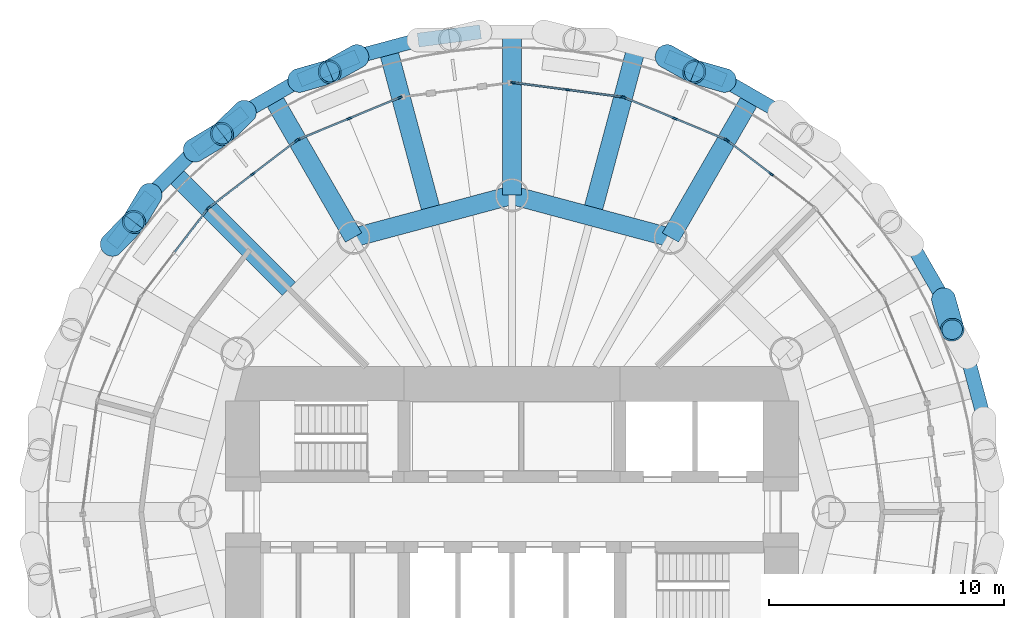
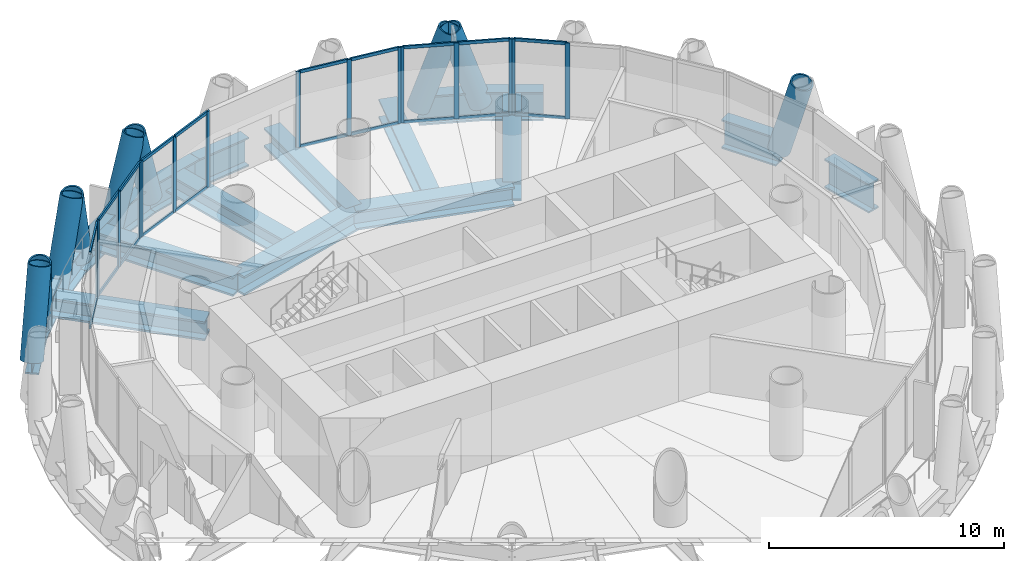
# One storey, part 5 of 13: 44 members, 19 beams, 6 elements without a shape of their own.
"""IFC4 building model written with IfcOpenShell, lengths in metres."""

from ifc_helpers import new_model, si_unit, direction, frame, origin, origin_2d, place, context, subcontext, project, spatial, rectangle, hollow_circle, i_section, extrude, material, material_profile, profile_set, type_object, element, aggregate, save


model = new_model("IFC4")

# Units and contexts
model_context = context("Model", 3, precision=1e-05, world=origin(), true_north=direction((0.0, 1.0)))
body_context = subcontext(model_context, "Body", "Model", "MODEL_VIEW")
ifc_project = project(units=[si_unit("LENGTHUNIT", "METRE"), si_unit("AREAUNIT", "SQUARE_METRE"), si_unit("VOLUMEUNIT", "CUBIC_METRE"), si_unit("PLANEANGLEUNIT", "RADIAN"), si_unit("MASSUNIT", "GRAM", prefix="KILO")], contexts=[model_context])

# Site, building, storey
site_placement = place(None, origin())
site = spatial("IfcSite", under=ifc_project, at=site_placement, CompositionType="ELEMENT")
building_placement = place(site_placement, origin())
building = spatial("IfcBuilding", under=site, at=building_placement, Name="Qaws Media Tower", CompositionType="ELEMENT")
storey_placement = place(building_placement, frame((0.0, 0.0, 282.199951171875)))
storey = spatial("IfcBuildingStorey", under=building, at=storey_placement, Name="L65", CompositionType="ELEMENT", Elevation=282.199951171875)

# Curtain wall, members
ifc_material_1 = material(Name="Aluminium and clear glass", Category="aluminium")
curtain_wall_type = type_object("IfcCurtainWallType", Name="Unitised curtain wall CW-D", PredefinedType="NOTDEFINED", material=ifc_material_1)
curtain_wall_1_placement = place(storey_placement, origin())
curtain_wall_1 = element("IfcCurtainWall", 1, at=curtain_wall_1_placement, inside=storey, type_object=curtain_wall_type, Name="CWD curtain wall L65-04", PredefinedType="NOTDEFINED")
ifc_material_2 = material(Name="Aluminium mullion", Category="aluminium")
ifc_material_profile_1 = material_profile(ifc_material_2, rectangle(XDim=0.080078125, YDim=0.199951171875, at=origin_2d()), Name="80x200")
ifc_profile_set_1 = profile_set([ifc_material_profile_1], Name="Aluminium mullion")
member_type_1 = type_object("IfcMemberType", Name="Curtain wall mullion 80x200", PredefinedType="MULLION", material=ifc_profile_set_1)
member_1_placement = place(storey_placement, frame((71.044921875, 64.39404296875, 0.0), z_axis=(0.0, 0.0, 1.0), x_axis=(-0.608761465882, -0.793353311997, 0.0)))
member_1 = element("IfcMember", 2, at=member_1_placement, type_object=member_type_1, Name="CWD mullion 2", PredefinedType="MULLION", context=body_context, shape_type="SweptSolid", body=[
    extrude(rectangle(XDim=0.080078125, YDim=0.199951171875, at=origin_2d()), origin(), (0.0, 0.0, 1.0), 3.949951171875),
])
member_2_placement = place(storey_placement, frame((69.181640625, 65.823974609375, 0.0), z_axis=(0.0, 0.0, 1.0), x_axis=(-0.608761465882, -0.793353311997, 0.0)))
member_2 = element("IfcMember", 3, at=member_2_placement, type_object=member_type_1, Name="CWD mullion 3", PredefinedType="MULLION", context=body_context, shape_type="SweptSolid", body=[
    extrude(rectangle(XDim=0.080078125, YDim=0.199951171875, at=origin_2d()), origin(), (0.0, 0.0, 1.0), 3.949951171875),
])

curtain_wall_2_placement = place(storey_placement, origin())
curtain_wall_2 = element("IfcCurtainWall", 4, at=curtain_wall_2_placement, inside=storey, type_object=curtain_wall_type, Name="CWD curtain wall L65-05", PredefinedType="NOTDEFINED")
member_3_placement = place(storey_placement, frame((69.113037109375, 65.863525390625, 0.0), z_axis=(0.0, 0.0, 1.0), x_axis=(-0.382683515407, -0.923879498114, 0.0)))
member_3 = element("IfcMember", 5, at=member_3_placement, type_object=member_type_1, Name="CWD mullion 1", PredefinedType="MULLION", context=body_context, shape_type="SweptSolid", body=[
    extrude(rectangle(XDim=0.080078125, YDim=0.199951171875, at=origin_2d()), origin(), (0.0, 0.0, 1.0), 3.949951171875),
])
member_4_placement = place(storey_placement, frame((66.943115234375, 66.762451171875, 0.0), z_axis=(0.0, 0.0, 1.0), x_axis=(-0.382683515407, -0.923879498114, 0.0)))
member_4 = element("IfcMember", 6, at=member_4_placement, type_object=member_type_1, Name="CWD mullion 2", PredefinedType="MULLION", context=body_context, shape_type="SweptSolid", body=[
    extrude(rectangle(XDim=0.080078125, YDim=0.199951171875, at=origin_2d()), origin(), (0.0, 0.0, 1.0), 3.949951171875),
])
member_5_placement = place(storey_placement, frame((64.7734375, 67.6611328125, 0.0), z_axis=(0.0, 0.0, 1.0), x_axis=(-0.382683515407, -0.923879498114, 0.0)))
member_5 = element("IfcMember", 7, at=member_5_placement, type_object=member_type_1, Name="CWD mullion 3", PredefinedType="MULLION", context=body_context, shape_type="SweptSolid", body=[
    extrude(rectangle(XDim=0.080078125, YDim=0.199951171875, at=origin_2d()), origin(), (0.0, 0.0, 1.0), 3.949951171875),
])

curtain_wall_3_placement = place(storey_placement, origin())
curtain_wall_3 = element("IfcCurtainWall", 8, at=curtain_wall_3_placement, inside=storey, type_object=curtain_wall_type, Name="CWD curtain wall L65-06", PredefinedType="NOTDEFINED")
member_6_placement = place(storey_placement, frame((64.69677734375, 67.681640625, 0.0), z_axis=(0.0, 0.0, 1.0), x_axis=(-0.130526101391, -0.991444873332, 0.0)))
member_6 = element("IfcMember", 9, at=member_6_placement, type_object=member_type_1, Name="CWD mullion 1", PredefinedType="MULLION", context=body_context, shape_type="SweptSolid", body=[
    extrude(rectangle(XDim=0.080078125, YDim=0.199951171875, at=origin_2d()), origin(), (0.0, 0.0, 1.0), 3.949951171875),
])
member_7_placement = place(storey_placement, frame((62.3681640625, 67.98828125, 0.0), z_axis=(0.0, 0.0, 1.0), x_axis=(-0.130526101391, -0.991444873332, 0.0)))
member_7 = element("IfcMember", 10, at=member_7_placement, type_object=member_type_1, Name="CWD mullion 2", PredefinedType="MULLION", context=body_context, shape_type="SweptSolid", body=[
    extrude(rectangle(XDim=0.080078125, YDim=0.199951171875, at=origin_2d()), origin(), (0.0, 0.0, 1.0), 3.949951171875),
])
member_8_placement = place(storey_placement, frame((60.03955078125, 68.294677734375, 0.0), z_axis=(0.0, 0.0, 1.0), x_axis=(-0.130526101391, -0.991444873332, 0.0)))
member_8 = element("IfcMember", 11, at=member_8_placement, type_object=member_type_1, Name="CWD mullion 3", PredefinedType="MULLION", context=body_context, shape_type="SweptSolid", body=[
    extrude(rectangle(XDim=0.080078125, YDim=0.199951171875, at=origin_2d()), origin(), (0.0, 0.0, 1.0), 3.949951171875),
])

curtain_wall_4_placement = place(storey_placement, origin())
curtain_wall_4 = element("IfcCurtainWall", 12, at=curtain_wall_4_placement, inside=storey, type_object=curtain_wall_type, Name="CWD curtain wall L65-08", PredefinedType="NOTDEFINED")
member_9_placement = place(storey_placement, frame((55.2265625, 67.6611328125, 0.0), z_axis=(0.0, 0.0, 1.0), x_axis=(0.382683515407, -0.923879498114, 0.0)))
member_9 = element("IfcMember", 13, at=member_9_placement, type_object=member_type_1, Name="CWD mullion 1", PredefinedType="MULLION", context=body_context, shape_type="SweptSolid", body=[
    extrude(rectangle(XDim=0.080078125, YDim=0.199951171875, at=origin_2d()), origin(), (0.0, 0.0, 1.0), 3.949951171875),
])
member_10_placement = place(storey_placement, frame((53.056884765625, 66.762451171875, 0.0), z_axis=(0.0, 0.0, 1.0), x_axis=(0.382683515407, -0.923879498114, 0.0)))
member_10 = element("IfcMember", 14, at=member_10_placement, type_object=member_type_1, Name="CWD mullion 2", PredefinedType="MULLION", context=body_context, shape_type="SweptSolid", body=[
    extrude(rectangle(XDim=0.080078125, YDim=0.199951171875, at=origin_2d()), origin(), (0.0, 0.0, 1.0), 3.949951171875),
])
member_11_placement = place(storey_placement, frame((50.886962890625, 65.863525390625, 0.0), z_axis=(0.0, 0.0, 1.0), x_axis=(0.382683515407, -0.923879498114, 0.0)))
member_11 = element("IfcMember", 15, at=member_11_placement, type_object=member_type_1, Name="CWD mullion 3", PredefinedType="MULLION", context=body_context, shape_type="SweptSolid", body=[
    extrude(rectangle(XDim=0.080078125, YDim=0.199951171875, at=origin_2d()), origin(), (0.0, 0.0, 1.0), 3.949951171875),
])

curtain_wall_5_placement = place(storey_placement, origin())
curtain_wall_5 = element("IfcCurtainWall", 16, at=curtain_wall_5_placement, inside=storey, type_object=curtain_wall_type, Name="CWD curtain wall L65-09", PredefinedType="NOTDEFINED")
member_12_placement = place(storey_placement, frame((50.818359375, 65.823974609375, 0.0), z_axis=(0.0, 0.0, 1.0), x_axis=(0.608761465882, -0.793353311997, 0.0)))
member_12 = element("IfcMember", 17, at=member_12_placement, type_object=member_type_1, Name="CWD mullion 1", PredefinedType="MULLION", context=body_context, shape_type="SweptSolid", body=[
    extrude(rectangle(XDim=0.080078125, YDim=0.199951171875, at=origin_2d()), origin(), (0.0, 0.0, 1.0), 3.949951171875),
])
member_13_placement = place(storey_placement, frame((48.955078125, 64.39404296875, 0.0), z_axis=(0.0, 0.0, 1.0), x_axis=(0.608761465882, -0.793353311997, 0.0)))
member_13 = element("IfcMember", 18, at=member_13_placement, type_object=member_type_1, Name="CWD mullion 2", PredefinedType="MULLION", context=body_context, shape_type="SweptSolid", body=[
    extrude(rectangle(XDim=0.080078125, YDim=0.199951171875, at=origin_2d()), origin(), (0.0, 0.0, 1.0), 3.949951171875),
])
member_14_placement = place(storey_placement, frame((47.091796875, 62.96435546875, 0.0), z_axis=(0.0, 0.0, 1.0), x_axis=(0.608761465882, -0.793353311997, 0.0)))
member_14 = element("IfcMember", 19, at=member_14_placement, type_object=member_type_1, Name="CWD mullion 3", PredefinedType="MULLION", context=body_context, shape_type="SweptSolid", body=[
    extrude(rectangle(XDim=0.080078125, YDim=0.199951171875, at=origin_2d()), origin(), (0.0, 0.0, 1.0), 3.949951171875),
])

# Curtain wall, member
curtain_wall_6_placement = place(storey_placement, origin())
curtain_wall_6 = element("IfcCurtainWall", 20, at=curtain_wall_6_placement, inside=storey, type_object=curtain_wall_type, Name="CWD curtain wall L65-10", PredefinedType="NOTDEFINED")
member_15_placement = place(storey_placement, frame((47.03564453125, 62.908203125, 0.0), z_axis=(0.0, 0.0, 1.0), x_axis=(0.793353311997, -0.608761465882, 0.0)))
member_15 = element("IfcMember", 21, at=member_15_placement, type_object=member_type_1, Name="CWD mullion 1", PredefinedType="MULLION", context=body_context, shape_type="SweptSolid", body=[
    extrude(rectangle(XDim=0.080078125, YDim=0.199951171875, at=origin_2d()), origin(), (0.0, 0.0, 1.0), 3.949951171875),
])

# Member
ifc_material_3 = material(Name="Aluminium transom", Category="aluminium")
ifc_material_profile_2 = material_profile(ifc_material_3, rectangle(XDim=0.080078125, YDim=0.159912109375, at=origin_2d()), Name="80x160")
ifc_profile_set_2 = profile_set([ifc_material_profile_2], Name="Aluminium transom")
member_type_2 = type_object("IfcMemberType", Name="Curtain wall transom 80x160", PredefinedType="USERDEFINED", material=ifc_profile_set_2)
member_16_placement = place(storey_placement, frame((71.01318359375, 64.41845703125, 0.0400390625), z_axis=(-0.793339543824, 0.608779408493, 0.0), x_axis=(-0.608779408493, -0.793339543824, 0.0)))
member_16 = element("IfcMember", 22, at=member_16_placement, type_object=member_type_2, Name="CWD transom 2.1", ObjectType="TRANSOM", PredefinedType="USERDEFINED", context=body_context, shape_type="SweptSolid", body=[
    extrude(rectangle(XDim=0.080078125, YDim=0.159912109375, at=origin_2d()), origin(), (0.0, 0.0, 1.0), 2.2685546875),
])

member_17_placement = place(storey_placement, frame((71.01318359375, 64.41845703125, 3.91015625), z_axis=(-0.793339543824, 0.608779408493, 0.0), x_axis=(-0.608779408493, -0.793339543824, 0.0)))
member_17 = element("IfcMember", 23, at=member_17_placement, type_object=member_type_2, Name="CWD transom 2.2", ObjectType="TRANSOM", PredefinedType="USERDEFINED", context=body_context, shape_type="SweptSolid", body=[
    extrude(rectangle(XDim=0.080078125, YDim=0.159912109375, at=origin_2d()), origin(), (0.0, 0.0, 1.0), 2.2685546875),
])

aggregate(curtain_wall_1, [member_1, member_2, member_16, member_17])

member_18_placement = place(storey_placement, frame((69.076171875, 65.87890625, 0.0400390625), z_axis=(-0.923880424084, 0.382681279912, 0.0), x_axis=(-0.382681279912, -0.923880424084, 0.0)))
member_18 = element("IfcMember", 24, at=member_18_placement, type_object=member_type_2, Name="CWD transom 1.1", ObjectType="TRANSOM", PredefinedType="USERDEFINED", context=body_context, shape_type="SweptSolid", body=[
    extrude(rectangle(XDim=0.080078125, YDim=0.159912109375, at=origin_2d()), origin(), (0.0, 0.0, 1.0), 2.2685546875),
])

member_19_placement = place(storey_placement, frame((69.076171875, 65.87890625, 3.91015625), z_axis=(-0.923880424084, 0.382681279912, 0.0), x_axis=(-0.382681279912, -0.923880424084, 0.0)))
member_19 = element("IfcMember", 25, at=member_19_placement, type_object=member_type_2, Name="CWD transom 1.2", ObjectType="TRANSOM", PredefinedType="USERDEFINED", context=body_context, shape_type="SweptSolid", body=[
    extrude(rectangle(XDim=0.080078125, YDim=0.159912109375, at=origin_2d()), origin(), (0.0, 0.0, 1.0), 2.2685546875),
])

member_20_placement = place(storey_placement, frame((66.90625, 66.777587890625, 0.0400390625), z_axis=(-0.923880424084, 0.382681279912, 0.0), x_axis=(-0.382681279912, -0.923880424084, 0.0)))
member_20 = element("IfcMember", 26, at=member_20_placement, type_object=member_type_2, Name="CWD transom 2.1", ObjectType="TRANSOM", PredefinedType="USERDEFINED", context=body_context, shape_type="SweptSolid", body=[
    extrude(rectangle(XDim=0.080078125, YDim=0.159912109375, at=origin_2d()), origin(), (0.0, 0.0, 1.0), 2.2685546875),
])

member_21_placement = place(storey_placement, frame((66.90625, 66.777587890625, 3.91015625), z_axis=(-0.923880424084, 0.382681279912, 0.0), x_axis=(-0.382681279912, -0.923880424084, 0.0)))
member_21 = element("IfcMember", 27, at=member_21_placement, type_object=member_type_2, Name="CWD transom 2.2", ObjectType="TRANSOM", PredefinedType="USERDEFINED", context=body_context, shape_type="SweptSolid", body=[
    extrude(rectangle(XDim=0.080078125, YDim=0.159912109375, at=origin_2d()), origin(), (0.0, 0.0, 1.0), 2.2685546875),
])

aggregate(curtain_wall_2, [member_3, member_4, member_5, member_18, member_19, member_20, member_21])

member_22_placement = place(storey_placement, frame((64.656982421875, 67.686767578125, 0.0400390625), z_axis=(-0.991441836118, 0.130549169259, 0.0), x_axis=(-0.130549169259, -0.991441836118, 0.0)))
member_22 = element("IfcMember", 28, at=member_22_placement, type_object=member_type_2, Name="CWD transom 1.1", ObjectType="TRANSOM", PredefinedType="USERDEFINED", context=body_context, shape_type="SweptSolid", body=[
    extrude(rectangle(XDim=0.080078125, YDim=0.159912109375, at=origin_2d()), origin(), (0.0, 0.0, 1.0), 2.2685546875),
])

member_23_placement = place(storey_placement, frame((64.656982421875, 67.686767578125, 3.91015625), z_axis=(-0.991441836118, 0.130549169259, 0.0), x_axis=(-0.130549169259, -0.991441836118, 0.0)))
member_23 = element("IfcMember", 29, at=member_23_placement, type_object=member_type_2, Name="CWD transom 1.2", ObjectType="TRANSOM", PredefinedType="USERDEFINED", context=body_context, shape_type="SweptSolid", body=[
    extrude(rectangle(XDim=0.080078125, YDim=0.159912109375, at=origin_2d()), origin(), (0.0, 0.0, 1.0), 2.2685546875),
])

member_24_placement = place(storey_placement, frame((62.32861328125, 67.993408203125, 0.0400390625), z_axis=(-0.991443670088, 0.130535240618, 0.0), x_axis=(-0.130535240618, -0.991443670088, 0.0)))
member_24 = element("IfcMember", 30, at=member_24_placement, type_object=member_type_2, Name="CWD transom 2.1", ObjectType="TRANSOM", PredefinedType="USERDEFINED", context=body_context, shape_type="SweptSolid", body=[
    extrude(rectangle(XDim=0.080078125, YDim=0.159912109375, at=origin_2d()), origin(), (0.0, 0.0, 1.0), 2.268798828125),
])

member_25_placement = place(storey_placement, frame((62.32861328125, 67.993408203125, 3.91015625), z_axis=(-0.991443670088, 0.130535240618, 0.0), x_axis=(-0.130535240618, -0.991443670088, 0.0)))
member_25 = element("IfcMember", 31, at=member_25_placement, type_object=member_type_2, Name="CWD transom 2.2", ObjectType="TRANSOM", PredefinedType="USERDEFINED", context=body_context, shape_type="SweptSolid", body=[
    extrude(rectangle(XDim=0.080078125, YDim=0.159912109375, at=origin_2d()), origin(), (0.0, 0.0, 1.0), 2.268798828125),
])

aggregate(curtain_wall_3, [member_6, member_7, member_8, member_22, member_23, member_24, member_25])

member_26_placement = place(storey_placement, frame((55.189697265625, 67.645751953125, 0.0400390625), z_axis=(-0.923880424084, -0.382681279912, 0.0), x_axis=(0.382681279912, -0.923880424084, 0.0)))
member_26 = element("IfcMember", 32, at=member_26_placement, type_object=member_type_2, Name="CWD transom 1.1", ObjectType="TRANSOM", PredefinedType="USERDEFINED", context=body_context, shape_type="SweptSolid", body=[
    extrude(rectangle(XDim=0.080078125, YDim=0.159912109375, at=origin_2d()), origin(), (0.0, 0.0, 1.0), 2.2685546875),
])

member_27_placement = place(storey_placement, frame((55.189697265625, 67.645751953125, 3.91015625), z_axis=(-0.923880424084, -0.382681279912, 0.0), x_axis=(0.382681279912, -0.923880424084, 0.0)))
member_27 = element("IfcMember", 33, at=member_27_placement, type_object=member_type_2, Name="CWD transom 1.2", ObjectType="TRANSOM", PredefinedType="USERDEFINED", context=body_context, shape_type="SweptSolid", body=[
    extrude(rectangle(XDim=0.080078125, YDim=0.159912109375, at=origin_2d()), origin(), (0.0, 0.0, 1.0), 2.2685546875),
])

member_28_placement = place(storey_placement, frame((53.019775390625, 66.7470703125, 0.0400390625), z_axis=(-0.923880424084, -0.382681279912, 0.0), x_axis=(0.382681279912, -0.923880424084, 0.0)))
member_28 = element("IfcMember", 34, at=member_28_placement, type_object=member_type_2, Name="CWD transom 2.1", ObjectType="TRANSOM", PredefinedType="USERDEFINED", context=body_context, shape_type="SweptSolid", body=[
    extrude(rectangle(XDim=0.080078125, YDim=0.159912109375, at=origin_2d()), origin(), (0.0, 0.0, 1.0), 2.2685546875),
])

member_29_placement = place(storey_placement, frame((53.019775390625, 66.7470703125, 3.91015625), z_axis=(-0.923880424084, -0.382681279912, 0.0), x_axis=(0.382681279912, -0.923880424084, 0.0)))
member_29 = element("IfcMember", 35, at=member_29_placement, type_object=member_type_2, Name="CWD transom 2.2", ObjectType="TRANSOM", PredefinedType="USERDEFINED", context=body_context, shape_type="SweptSolid", body=[
    extrude(rectangle(XDim=0.080078125, YDim=0.159912109375, at=origin_2d()), origin(), (0.0, 0.0, 1.0), 2.2685546875),
])

aggregate(curtain_wall_4, [member_9, member_10, member_11, member_26, member_27, member_28, member_29])

member_30_placement = place(storey_placement, frame((50.78662109375, 65.799560546875, 0.0400390625), z_axis=(-0.793339543824, -0.608779408493, 0.0), x_axis=(0.608779408493, -0.793339543824, 0.0)))
member_30 = element("IfcMember", 36, at=member_30_placement, type_object=member_type_2, Name="CWD transom 1.1", ObjectType="TRANSOM", PredefinedType="USERDEFINED", context=body_context, shape_type="SweptSolid", body=[
    extrude(rectangle(XDim=0.080078125, YDim=0.159912109375, at=origin_2d()), origin(), (0.0, 0.0, 1.0), 2.2685546875),
])

member_31_placement = place(storey_placement, frame((50.78662109375, 65.799560546875, 3.91015625), z_axis=(-0.793339543824, -0.608779408493, 0.0), x_axis=(0.608779408493, -0.793339543824, 0.0)))
member_31 = element("IfcMember", 37, at=member_31_placement, type_object=member_type_2, Name="CWD transom 1.2", ObjectType="TRANSOM", PredefinedType="USERDEFINED", context=body_context, shape_type="SweptSolid", body=[
    extrude(rectangle(XDim=0.080078125, YDim=0.159912109375, at=origin_2d()), origin(), (0.0, 0.0, 1.0), 2.2685546875),
])

member_32_placement = place(storey_placement, frame((48.92333984375, 64.369873046875, 0.0400390625), z_axis=(-0.793339543824, -0.608779408493, 0.0), x_axis=(0.608779408493, -0.793339543824, 0.0)))
member_32 = element("IfcMember", 38, at=member_32_placement, type_object=member_type_2, Name="CWD transom 2.1", ObjectType="TRANSOM", PredefinedType="USERDEFINED", context=body_context, shape_type="SweptSolid", body=[
    extrude(rectangle(XDim=0.080078125, YDim=0.159912109375, at=origin_2d()), origin(), (0.0, 0.0, 1.0), 2.2685546875),
])

member_33_placement = place(storey_placement, frame((48.92333984375, 64.369873046875, 3.91015625), z_axis=(-0.793339543824, -0.608779408493, 0.0), x_axis=(0.608779408493, -0.793339543824, 0.0)))
member_33 = element("IfcMember", 39, at=member_33_placement, type_object=member_type_2, Name="CWD transom 2.2", ObjectType="TRANSOM", PredefinedType="USERDEFINED", context=body_context, shape_type="SweptSolid", body=[
    extrude(rectangle(XDim=0.080078125, YDim=0.159912109375, at=origin_2d()), origin(), (0.0, 0.0, 1.0), 2.2685546875),
])

aggregate(curtain_wall_5, [member_12, member_13, member_14, member_30, member_31, member_32, member_33])

member_34_placement = place(storey_placement, frame((47.01123046875, 62.87646484375, 0.0400390625), z_axis=(-0.608779408493, -0.793339543824, 0.0), x_axis=(0.793339543824, -0.608779408493, 0.0)))
member_34 = element("IfcMember", 40, at=member_34_placement, type_object=member_type_2, Name="CWD transom 1.1", ObjectType="TRANSOM", PredefinedType="USERDEFINED", context=body_context, shape_type="SweptSolid", body=[
    extrude(rectangle(XDim=0.080078125, YDim=0.159912109375, at=origin_2d()), origin(), (0.0, 0.0, 1.0), 2.2685546875),
])

member_35_placement = place(storey_placement, frame((47.01123046875, 62.87646484375, 3.91015625), z_axis=(-0.608779408493, -0.793339543824, 0.0), x_axis=(0.793339543824, -0.608779408493, 0.0)))
member_35 = element("IfcMember", 41, at=member_35_placement, type_object=member_type_2, Name="CWD transom 1.2", ObjectType="TRANSOM", PredefinedType="USERDEFINED", context=body_context, shape_type="SweptSolid", body=[
    extrude(rectangle(XDim=0.080078125, YDim=0.159912109375, at=origin_2d()), origin(), (0.0, 0.0, 1.0), 2.2685546875),
])

aggregate(curtain_wall_6, [member_15, member_34, member_35])

# Members
ifc_material_4 = material(Name="Steel S460", Category="steel")
ifc_material_profile_3 = material_profile(ifc_material_4, hollow_circle(Radius=0.508056640625, WallThickness=0.070068359375, at=origin_2d()), Name="CHS 1016x70")
ifc_profile_set_3 = profile_set([ifc_material_profile_3], Name="Steel S460")
member_type_3 = type_object("IfcMemberType", Name="Diagrid member CHS 1016x70", PredefinedType="USERDEFINED", material=ifc_profile_set_3)
for number, where, z_axis, x_axis, name in (
    (42, (78.385986328125, 59.06689453125, -0.909912109375), (0.085221723716, -0.300138494517, 0.950081123861), (0.961973173283, 0.273143943523, 0.0), "DG3 diagrid L65 B03"),
    (43, (69.06689453125, 68.385986328125, -0.909912109375), (-0.300138494517, 0.085221723716, 0.950081123861), (-0.273143943523, -0.961973173283, 0.0), "DG3 diagrid L65 A05"),
):
    element("IfcMember", number, at=place(storey_placement, frame(where, z_axis=z_axis, x_axis=x_axis)), inside=storey, type_object=member_type_3, Name=name, ObjectType="DIAGRID", PredefinedType="USERDEFINED", context=body_context, shape_type="SweptSolid", body=[
        extrude(hollow_circle(Radius=0.508056640625, WallThickness=0.070068359375, at=origin_2d()), origin(), (0.0, 0.0, 1.0), 4.32568359375),
    ])
for number, where, z_axis, x_axis, name in (
    (44, (66.589599609375, 69.412109375, -0.909912109375), (0.272535745282, -0.151985662051, 0.950065590407), (0.487055049731, 0.873371271872, 0.0), "DG3 diagrid L65 B06"),
    (45, (53.410400390625, 69.412109375, -0.909912109375), (-0.272535745282, -0.151985662051, 0.950065590407), (0.487055049731, -0.873371271872, 0.0), "DG3 diagrid L65 A08"),
    (46, (48.61083984375, 67.045166015625, -0.909912109375), (-0.223941893707, -0.217338768313, 0.950059939178), (0.696447987563, -0.717607274643, 0.0), "DG3 diagrid L65 A09"),
):
    element("IfcMember", number, at=place(storey_placement, frame(where, z_axis=z_axis, x_axis=x_axis)), inside=storey, type_object=member_type_3, Name=name, ObjectType="DIAGRID", PredefinedType="USERDEFINED", context=body_context, shape_type="SweptSolid", body=[
        extrude(hollow_circle(Radius=0.508056640625, WallThickness=0.070068359375, at=origin_2d()), origin(), (0.0, 0.0, 1.0), 4.325927734375),
    ])
member_36_placement = place(storey_placement, frame((50.93310546875, 68.385986328125, -0.909912109375), z_axis=(0.300138494517, 0.085221723716, 0.950081123861), x_axis=(-0.273143943523, 0.961973173283, 0.0)))
element("IfcMember", 47, at=member_36_placement, inside=storey, type_object=member_type_3, Name="DG3 diagrid L65 B09", ObjectType="DIAGRID", PredefinedType="USERDEFINED", context=body_context, shape_type="SweptSolid", body=[
    extrude(hollow_circle(Radius=0.508056640625, WallThickness=0.070068359375, at=origin_2d()), origin(), (0.0, 0.0, 1.0), 4.32568359375),
])
for number, where, z_axis, x_axis, name in (
    (48, (44.58740234375, 63.5166015625, -0.909912109375), (-0.160057236154, -0.267853188571, 0.950071760725), (0.858417175554, -0.512952193399, 0.0), "DG3 diagrid L65 A10"),
    (49, (46.4833984375, 65.41259765625, -0.909912109375), (0.267853188571, 0.160057236154, 0.950071760725), (-0.512952193399, 0.858417175554, 0.0), "DG3 diagrid L65 B10"),
    (50, (42.954833984375, 61.38916015625, -0.909912109375), (0.217338768313, 0.223941893707, 0.950059939178), (-0.717607274643, 0.696447987563, 0.0), "DG3 diagrid L65 B11"),
):
    element("IfcMember", number, at=place(storey_placement, frame(where, z_axis=z_axis, x_axis=x_axis)), inside=storey, type_object=member_type_3, Name=name, ObjectType="DIAGRID", PredefinedType="USERDEFINED", context=body_context, shape_type="SweptSolid", body=[
        extrude(hollow_circle(Radius=0.508056640625, WallThickness=0.070068359375, at=origin_2d()), origin(), (0.0, 0.0, 1.0), 4.325927734375),
    ])

# Beams
ifc_material_5 = material(Name="Steel S460", Category="steel")
ifc_material_profile_4 = material_profile(ifc_material_5, i_section(OverallWidth=0.60009765625, OverallDepth=1.5, WebThickness=0.030029296875, FlangeThickness=0.080078125, at=origin_2d()), Name="PG 1500x600")
ifc_profile_set_4 = profile_set([ifc_material_profile_4], Name="Steel S460")
beam_type_1 = type_object("IfcBeamType", Name="Edge ring beam PG 1500x600", PredefinedType="BEAM", material=ifc_profile_set_4)
for number, where, z_axis, x_axis, name in (
    (51, (80.106201171875, 53.999267578125, -0.909912109375), (-0.258824062397, 0.965924481895, 0.0), (-0.965924481895, -0.258824062397, 0.0), "RB5 edge ring beam L65-02"),
    (52, (78.385986328125, 59.06689453125, -0.909912109375), (-0.500016677412, 0.866015774862, 0.0), (-0.866015774862, -0.500016677412, 0.0), "RB5 edge ring beam L65-04"),
    (53, (71.38916015625, 67.045166015625, -0.909912109375), (-0.866015774862, 0.500016677412, 0.0), (-0.500016677412, -0.866015774862, 0.0), "RB5 edge ring beam L65-08"),
):
    element("IfcBeam", number, at=place(storey_placement, frame(where, z_axis=z_axis, x_axis=x_axis)), inside=storey, type_object=beam_type_1, Name=name, PredefinedType="BEAM", context=body_context, shape_type="SweptSolid", body=[
        extrude(i_section(OverallWidth=0.60009765625, OverallDepth=1.5, WebThickness=0.030029296875, FlangeThickness=0.080078125, at=origin_2d()), origin(), (0.0, 0.0, 1.0), 2.681640625),
    ])
for number, where, z_axis, x_axis, name in (
    (54, (69.06689453125, 68.385986328125, -0.909912109375), (-0.923880337842, 0.38268148812, 0.0), (-0.38268148812, -0.923880337842, 0.0), "RB5 edge ring beam L65-09"),
    (55, (58.6591796875, 70.4560546875, -0.909912109375), (-0.991451506151, -0.130475710195, 0.0), (0.130475710195, -0.991451506151, 0.0), "RB5 edge ring beam L65-13"),
):
    element("IfcBeam", number, at=place(storey_placement, frame(where, z_axis=z_axis, x_axis=x_axis)), inside=storey, type_object=beam_type_1, Name=name, PredefinedType="BEAM", context=body_context, shape_type="SweptSolid", body=[
        extrude(i_section(OverallWidth=0.60009765625, OverallDepth=1.5, WebThickness=0.030029296875, FlangeThickness=0.080078125, at=origin_2d()), origin(), (0.0, 0.0, 1.0), 2.681396484375),
    ])
beam_1_placement = place(storey_placement, frame((56.000732421875, 70.106201171875, -0.909912109375), z_axis=(-0.965924481895, -0.258824062397, 0.0), x_axis=(0.258824062397, -0.965924481895, 0.0)))
element("IfcBeam", 56, at=beam_1_placement, inside=storey, type_object=beam_type_1, Name="RB5 edge ring beam L65-14", PredefinedType="BEAM", context=body_context, shape_type="SweptSolid", body=[
    extrude(i_section(OverallWidth=0.60009765625, OverallDepth=1.5, WebThickness=0.030029296875, FlangeThickness=0.080078125, at=origin_2d()), origin(), (0.0, 0.0, 1.0), 2.681640625),
])
beam_2_placement = place(storey_placement, frame((53.410400390625, 69.412109375, -0.909912109375), z_axis=(-0.923880337842, -0.38268148812, 0.0), x_axis=(0.38268148812, -0.923880337842, 0.0)))
element("IfcBeam", 57, at=beam_2_placement, inside=storey, type_object=beam_type_1, Name="RB5 edge ring beam L65-15", PredefinedType="BEAM", context=body_context, shape_type="SweptSolid", body=[
    extrude(i_section(OverallWidth=0.60009765625, OverallDepth=1.5, WebThickness=0.030029296875, FlangeThickness=0.080078125, at=origin_2d()), origin(), (0.0, 0.0, 1.0), 2.681396484375),
])
for number, where, z_axis, x_axis, name in (
    (58, (50.93310546875, 68.385986328125, -0.909912109375), (-0.866015774862, -0.500016677412, 0.0), (0.500016677412, -0.866015774862, 0.0), "RB5 edge ring beam L65-16"),
    (59, (48.61083984375, 67.045166015625, -0.909912109375), (-0.793330799857, -0.608790803149, 0.0), (0.608790803149, -0.793330799857, 0.0), "RB5 edge ring beam L65-17"),
):
    element("IfcBeam", number, at=place(storey_placement, frame(where, z_axis=z_axis, x_axis=x_axis)), inside=storey, type_object=beam_type_1, Name=name, PredefinedType="BEAM", context=body_context, shape_type="SweptSolid", body=[
        extrude(i_section(OverallWidth=0.60009765625, OverallDepth=1.5, WebThickness=0.030029296875, FlangeThickness=0.080078125, at=origin_2d()), origin(), (0.0, 0.0, 1.0), 2.681640625),
    ])
beam_3_placement = place(storey_placement, frame((46.4833984375, 65.41259765625, -0.909912109375), z_axis=(-0.707106781187, -0.707106781187, 0.0), x_axis=(0.707106781187, -0.707106781187, 0.0)))
element("IfcBeam", 60, at=beam_3_placement, inside=storey, type_object=beam_type_1, Name="RB5 edge ring beam L65-18", PredefinedType="BEAM", context=body_context, shape_type="SweptSolid", body=[
    extrude(i_section(OverallWidth=0.60009765625, OverallDepth=1.5, WebThickness=0.030029296875, FlangeThickness=0.080078125, at=origin_2d()), origin(), (0.0, 0.0, 1.0), 2.681396484375),
])
beam_4_placement = place(storey_placement, frame((44.58740234375, 63.5166015625, -0.909912109375), z_axis=(-0.608790803149, -0.793330799857, 0.0), x_axis=(0.793330799857, -0.608790803149, 0.0)))
element("IfcBeam", 61, at=beam_4_placement, inside=storey, type_object=beam_type_1, Name="RB5 edge ring beam L65-19", PredefinedType="BEAM", context=body_context, shape_type="SweptSolid", body=[
    extrude(i_section(OverallWidth=0.60009765625, OverallDepth=1.5, WebThickness=0.030029296875, FlangeThickness=0.080078125, at=origin_2d()), origin(), (0.0, 0.0, 1.0), 2.681640625),
])
ifc_material_6 = material(Name="Steel S460", Category="steel")
ifc_material_profile_5 = material_profile(ifc_material_6, i_section(OverallWidth=0.800048828125, OverallDepth=1.0, WebThickness=0.0400390625, FlangeThickness=0.10009765625, at=origin_2d()), Name="PG 1000x800")
ifc_profile_set_5 = profile_set([ifc_material_profile_5], Name="Steel S460")
beam_type_2 = type_object("IfcBeamType", Name="Inner ring girder PG 1000x800", PredefinedType="BEAM", material=ifc_profile_set_5)
for number, where, z_axis, x_axis, name in (
    (62, (66.75, 61.69140625, -0.659912109375), (-0.965928090778, 0.258810593767, 0.0), (-0.258810593767, -0.965928090778, 0.0), "B3 inner ring beam L65 I03-I04"),
    (63, (60.0, 63.5, -0.659912109375), (-0.965928090778, -0.258810593767, 0.0), (0.258810593767, -0.965928090778, 0.0), "B3 inner ring beam L65 I04-I05"),
):
    element("IfcBeam", number, at=place(storey_placement, frame(where, z_axis=z_axis, x_axis=x_axis)), inside=storey, type_object=beam_type_2, Name=name, PredefinedType="BEAM", context=body_context, shape_type="SweptSolid", body=[
        extrude(i_section(OverallWidth=0.800048828125, OverallDepth=1.0, WebThickness=0.0400390625, FlangeThickness=0.10009765625, at=origin_2d()), origin(), (0.0, 0.0, 1.0), 6.988037109375),
    ])
ifc_material_7 = material(Name="Steel S460", Category="steel")
ifc_material_profile_6 = material_profile(ifc_material_7, i_section(OverallWidth=0.800048828125, OverallDepth=1.0, WebThickness=0.0400390625, FlangeThickness=0.10009765625, at=origin_2d()), Name="PG 1000x800")
ifc_profile_set_6 = profile_set([ifc_material_profile_6], Name="Steel S460")
beam_type_3 = type_object("IfcBeamType", Name="Radial girder PG 1000x800", PredefinedType="BEAM", material=ifc_profile_set_6)
beam_5_placement = place(storey_placement, frame((66.75, 61.69140625, -0.659912109375), z_axis=(0.499996896717, 0.866027195458, 0.0), x_axis=(-0.866027195458, 0.499996896717, 0.0)))
element("IfcBeam", 64, at=beam_5_placement, inside=storey, type_object=beam_type_3, Name="B1 radial beam L65 05", PredefinedType="BEAM", context=body_context, shape_type="SweptSolid", body=[
    extrude(i_section(OverallWidth=0.800048828125, OverallDepth=1.0, WebThickness=0.0400390625, FlangeThickness=0.10009765625, at=origin_2d()), origin(), (0.0, 0.0, 1.0), 6.9560546875),
])
beam_6_placement = place(storey_placement, frame((63.478515625, 62.98193359375, -0.659912109375), z_axis=(0.258818992096, 0.965925840492, 0.0), x_axis=(-0.965925840492, 0.258818992096, 0.0)))
element("IfcBeam", 65, at=beam_6_placement, inside=storey, type_object=beam_type_3, Name="B1 radial beam L65 06", PredefinedType="BEAM", context=body_context, shape_type="SweptSolid", body=[
    extrude(i_section(OverallWidth=0.800048828125, OverallDepth=1.0, WebThickness=0.0400390625, FlangeThickness=0.10009765625, at=origin_2d()), origin(), (0.0, 0.0, 1.0), 7.01611328125),
])
beam_7_placement = place(storey_placement, frame((60.0, 63.5, -0.659912109375), z_axis=(0.0, 1.0, 0.0), x_axis=(-1.0, 0.0, 0.0)))
element("IfcBeam", 66, at=beam_7_placement, inside=storey, type_object=beam_type_3, Name="B1 radial beam L65 07", PredefinedType="BEAM", context=body_context, shape_type="SweptSolid", body=[
    extrude(i_section(OverallWidth=0.800048828125, OverallDepth=1.0, WebThickness=0.0400390625, FlangeThickness=0.10009765625, at=origin_2d()), origin(), (0.0, 0.0, 1.0), 6.9560546875),
])
beam_8_placement = place(storey_placement, frame((56.521484375, 62.98193359375, -0.659912109375), z_axis=(-0.258818992096, 0.965925840492, 0.0), x_axis=(-0.965925840492, -0.258818992096, 0.0)))
element("IfcBeam", 67, at=beam_8_placement, inside=storey, type_object=beam_type_3, Name="B1 radial beam L65 08", PredefinedType="BEAM", context=body_context, shape_type="SweptSolid", body=[
    extrude(i_section(OverallWidth=0.800048828125, OverallDepth=1.0, WebThickness=0.0400390625, FlangeThickness=0.10009765625, at=origin_2d()), origin(), (0.0, 0.0, 1.0), 7.01611328125),
])
beam_9_placement = place(storey_placement, frame((53.25, 61.69140625, -0.659912109375), z_axis=(-0.499996896717, 0.866027195458, 0.0), x_axis=(-0.866027195458, -0.499996896717, 0.0)))
element("IfcBeam", 68, at=beam_9_placement, inside=storey, type_object=beam_type_3, Name="B1 radial beam L65 09", PredefinedType="BEAM", context=body_context, shape_type="SweptSolid", body=[
    extrude(i_section(OverallWidth=0.800048828125, OverallDepth=1.0, WebThickness=0.0400390625, FlangeThickness=0.10009765625, at=origin_2d()), origin(), (0.0, 0.0, 1.0), 6.9560546875),
])
beam_10_placement = place(storey_placement, frame((50.49658203125, 59.50341796875, -0.659912109375), z_axis=(-0.707106781187, 0.707106781187, 0.0), x_axis=(-0.707106781187, -0.707106781187, 0.0)))
element("IfcBeam", 69, at=beam_10_placement, inside=storey, type_object=beam_type_3, Name="B1 radial beam L65 10", PredefinedType="BEAM", context=body_context, shape_type="SweptSolid", body=[
    extrude(i_section(OverallWidth=0.800048828125, OverallDepth=1.0, WebThickness=0.0400390625, FlangeThickness=0.10009765625, at=origin_2d()), origin(), (0.0, 0.0, 1.0), 7.01611328125),
])

save(model, "model.ifc")
